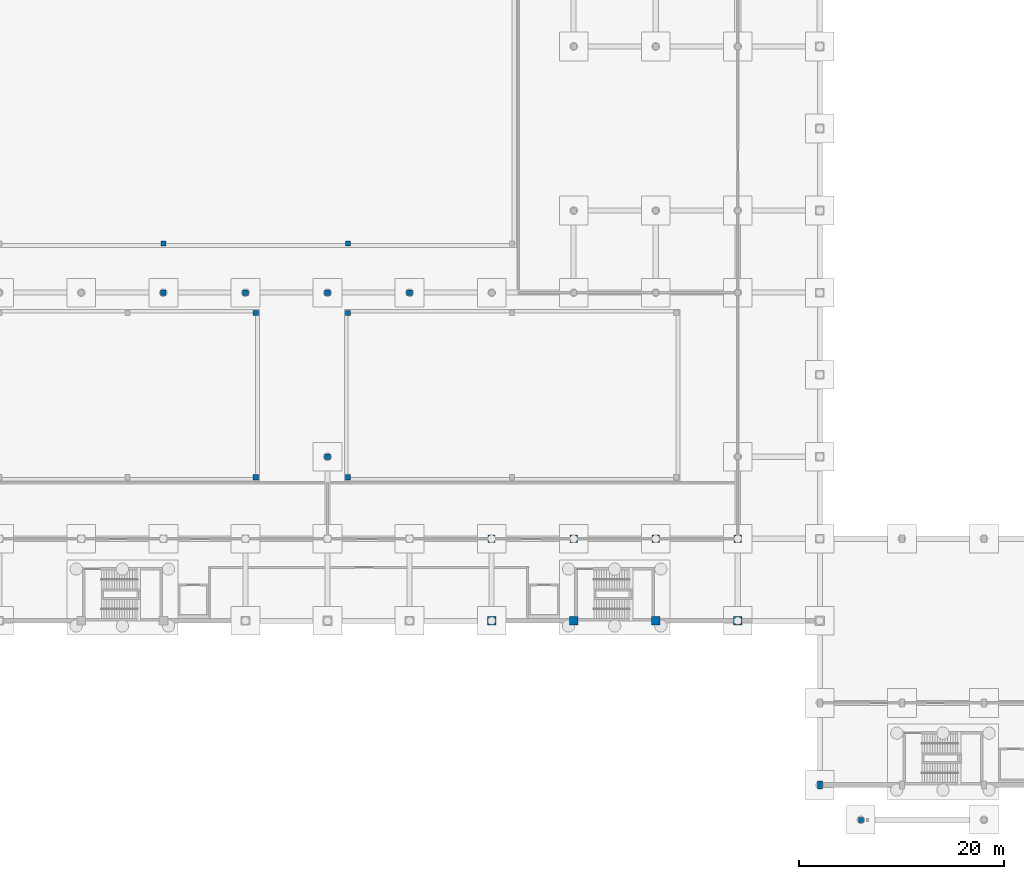
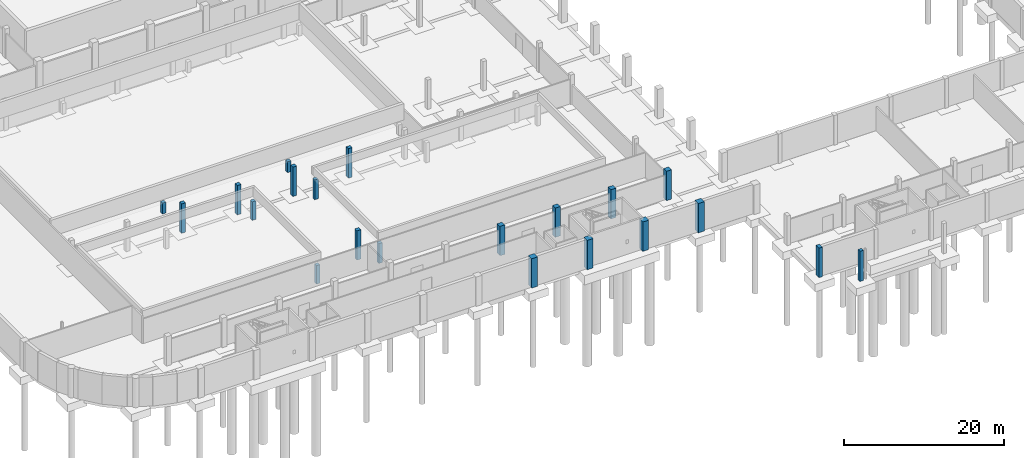
# One storey, part 8 of 29: 21 columns.
"""IFC4 building model written with IfcOpenShell, lengths in metres."""

from ifc_helpers import new_model, si_unit, direction, frame, origin, origin_2d, place, context, subcontext, project, spatial, rectangle, extrude, material, material_profile, profile_set, type_object, element, save


model = new_model("IFC4")

# Units and contexts
model_context = context("Model", 3, precision=1e-05, world=origin(), true_north=direction((0.0, 1.0)))
body_context = subcontext(model_context, "Body", "Model", "MODEL_VIEW")
ifc_project = project(units=[si_unit("LENGTHUNIT", "METRE"), si_unit("AREAUNIT", "SQUARE_METRE"), si_unit("VOLUMEUNIT", "CUBIC_METRE"), si_unit("PLANEANGLEUNIT", "RADIAN"), si_unit("MASSUNIT", "GRAM", prefix="KILO")], contexts=[model_context])

# Site, building, storey
site_placement = place(None, origin())
site = spatial("IfcSite", under=ifc_project, at=site_placement, CompositionType="ELEMENT")
building_placement = place(site_placement, origin())
building = spatial("IfcBuilding", under=site, at=building_placement, Name="Drelvana Railside Aquatics Centre", CompositionType="ELEMENT")
storey_placement = place(building_placement, frame((0.0, 0.0, -4.800048828125)))
storey = spatial("IfcBuildingStorey", under=building, at=storey_placement, Name="B1", CompositionType="ELEMENT", Elevation=-4.800048828125)

# Columns
ifc_material = material(Name="Concrete C40/50", Category="concrete")
ifc_material_profile_1 = material_profile(ifc_material, rectangle(XDim=0.5, YDim=0.5, at=origin_2d()), Name="RC 500x500")
ifc_profile_set_1 = profile_set([ifc_material_profile_1], Name="Concrete C40/50")
column_type_1 = type_object("IfcColumnType", Name="STR-COL-RC-500x500", PredefinedType="COLUMN", material=ifc_profile_set_1)
column_1_placement = place(storey_placement, frame((100.0, -3.39990234375, 0.0), z_axis=(0.0, 0.0, 1.0), x_axis=(1.0, 0.0, 0.0)))
element("IfcColumn", 1, at=column_1_placement, inside=storey, type_object=column_type_1, Name="Column C-02 (B1)", PredefinedType="COLUMN", context=body_context, shape_type="SweptSolid", body=[
    extrude(rectangle(XDim=0.5, YDim=0.5, at=origin_2d()), origin(), (0.0, 0.0, 1.0), 4.590087890625),
])
for number, where, z_axis, x_axis, name in (
    (2, (32.0, 52.800048828125, 0.0), (0.0, 0.0, 1.0), (1.0, 0.0, 0.0), "Competition Pool support pier 3"),
    (3, (50.0, 52.800048828125, 0.0), (0.0, 0.0, 1.0), (1.0, 0.0, 0.0), "Competition Pool support pier 5"),
):
    element("IfcColumn", number, at=place(storey_placement, frame(where, z_axis=z_axis, x_axis=x_axis)), inside=storey, type_object=column_type_1, Name=name, PredefinedType="COLUMN", context=body_context, shape_type="SweptSolid", body=[
        extrude(rectangle(XDim=0.5, YDim=0.5, at=origin_2d()), origin(), (0.0, 0.0, 1.0), 1.650146484375),
    ])
for number, where, z_axis, x_axis, name in (
    (4, (41.0, 30.0, 0.0), (0.0, 0.0, 1.0), (1.0, 0.0, 0.0), "Training Pool support pier 5"),
    (5, (41.0, 46.0, 0.0), (0.0, 0.0, 1.0), (1.0, 0.0, 0.0), "Training Pool support pier 6"),
):
    element("IfcColumn", number, at=place(storey_placement, frame(where, z_axis=z_axis, x_axis=x_axis)), inside=storey, type_object=column_type_1, Name=name, PredefinedType="COLUMN", context=body_context, shape_type="SweptSolid", body=[
        extrude(rectangle(XDim=0.5, YDim=0.5, at=origin_2d()), origin(), (0.0, 0.0, 1.0), 2.820068359375),
    ])
for number, where, z_axis, x_axis, name in (
    (6, (50.0, 30.0, 0.0), (0.0, 0.0, 1.0), (1.0, 0.0, 0.0), "Leisure Pool support pier 1"),
    (7, (50.0, 46.0, 0.0), (0.0, 0.0, 1.0), (1.0, 0.0, 0.0), "Leisure Pool support pier 2"),
):
    element("IfcColumn", number, at=place(storey_placement, frame(where, z_axis=z_axis, x_axis=x_axis)), inside=storey, type_object=column_type_1, Name=name, PredefinedType="COLUMN", context=body_context, shape_type="SweptSolid", body=[
        extrude(rectangle(XDim=0.5, YDim=0.5, at=origin_2d()), origin(), (0.0, 0.0, 1.0), 3.02001953125),
    ])
ifc_material_profile_2 = material_profile(ifc_material, rectangle(XDim=0.5, YDim=0.75, at=origin_2d()), Name="RC 500x750")
ifc_profile_set_2 = profile_set([ifc_material_profile_2], Name="Concrete C40/50")
column_type_2 = type_object("IfcColumnType", Name="STR-COL-RC-500x750", PredefinedType="COLUMN", material=ifc_profile_set_2)
column_2_placement = place(storey_placement, frame((96.0, 0.0, 0.0), z_axis=(0.0, 0.0, 1.0), x_axis=(1.0, 0.0, 0.0)))
element("IfcColumn", 8, at=column_2_placement, inside=storey, type_object=column_type_2, Name="Column C-12 (B1)", PredefinedType="COLUMN", context=body_context, shape_type="SweptSolid", body=[
    extrude(rectangle(XDim=0.5, YDim=0.75, at=origin_2d()), origin(), (0.0, 0.0, 1.0), 4.5),
])
ifc_material_profile_3 = material_profile(ifc_material, rectangle(XDim=0.550048828125, YDim=0.550048828125, at=origin_2d()), Name="RC 550x550")
ifc_profile_set_3 = profile_set([ifc_material_profile_3], Name="Concrete C40/50")
column_type_3 = type_object("IfcColumnType", Name="STR-COL-RC-550x550", PredefinedType="COLUMN", material=ifc_profile_set_3)
for number, where, z_axis, x_axis, name in (
    (9, (32.0, 48.0, 0.0), (0.0, 0.0, 1.0), (1.0, 0.0, 0.0), "Column C-03 (B1)"),
    (10, (40.0, 48.0, 0.0), (0.0, 0.0, 1.0), (1.0, 0.0, 0.0), "Column C-03 (B1)"),
    (11, (48.0, 32.0, 0.0), (0.0, 0.0, 1.0), (1.0, 0.0, 0.0), "Column C-03 (B1)"),
    (12, (48.0, 48.0, 0.0), (0.0, 0.0, 1.0), (1.0, 0.0, 0.0), "Column C-03 (B1)"),
    (13, (56.0, 48.0, 0.0), (0.0, 0.0, 1.0), (1.0, 0.0, 0.0), "Column C-03 (B1)"),
):
    element("IfcColumn", number, at=place(storey_placement, frame(where, z_axis=z_axis, x_axis=x_axis)), inside=storey, type_object=column_type_3, Name=name, PredefinedType="COLUMN", context=body_context, shape_type="SweptSolid", body=[
        extrude(rectangle(XDim=0.550048828125, YDim=0.550048828125, at=origin_2d()), origin(), (0.0, 0.0, 1.0), 4.469970703125),
    ])
ifc_material_profile_4 = material_profile(ifc_material, rectangle(XDim=0.699951171875, YDim=0.699951171875, at=origin_2d()), Name="RC 700x700")
ifc_profile_set_4 = profile_set([ifc_material_profile_4], Name="Concrete C40/50")
column_type_4 = type_object("IfcColumnType", Name="STR-COL-RC-700x700", PredefinedType="COLUMN", material=ifc_profile_set_4)
for number, where, z_axis, x_axis, name in (
    (14, (64.0, 24.0, 0.0), (0.0, 0.0, 1.0), (1.0, 0.0, 0.0), "Column C-06 (B1)"),
    (15, (72.0, 24.0, 0.0), (0.0, 0.0, 1.0), (1.0, 0.0, 0.0), "Column C-06 (B1)"),
    (16, (80.0, 24.0, 0.0), (0.0, 0.0, 1.0), (1.0, 0.0, 0.0), "Column C-06 (B1)"),
    (17, (88.0, 24.0, 0.0), (0.0, 0.0, 1.0), (1.0, 0.0, 0.0), "Column C-06 (B1)"),
):
    element("IfcColumn", number, at=place(storey_placement, frame(where, z_axis=z_axis, x_axis=x_axis)), inside=storey, type_object=column_type_4, Name=name, PredefinedType="COLUMN", context=body_context, shape_type="SweptSolid", body=[
        extrude(rectangle(XDim=0.699951171875, YDim=0.699951171875, at=origin_2d()), origin(), (0.0, 0.0, 1.0), 4.469970703125),
    ])
ifc_material_profile_5 = material_profile(ifc_material, rectangle(XDim=0.85009765625, YDim=0.85009765625, at=origin_2d()), Name="RC 850x850")
ifc_profile_set_5 = profile_set([ifc_material_profile_5], Name="Concrete C40/50")
column_type_5 = type_object("IfcColumnType", Name="STR-COL-RC-850x850", PredefinedType="COLUMN", material=ifc_profile_set_5)
for number, where, z_axis, x_axis, name in (
    (18, (64.0, 16.0, 0.0), (0.0, 0.0, 1.0), (1.0, 0.0, 0.0), "Column C-09 (B1)"),
    (19, (72.0, 16.0, 0.0), (0.0, 0.0, 1.0), (1.0, 0.0, 0.0), "Column C-09 (B1)"),
    (20, (80.0, 16.0, 0.0), (0.0, 0.0, 1.0), (1.0, 0.0, 0.0), "Column C-09 (B1)"),
    (21, (88.0, 16.0, 0.0), (0.0, 0.0, 1.0), (1.0, 0.0, 0.0), "Column C-09 (B1)"),
):
    element("IfcColumn", number, at=place(storey_placement, frame(where, z_axis=z_axis, x_axis=x_axis)), inside=storey, type_object=column_type_5, Name=name, PredefinedType="COLUMN", context=body_context, shape_type="SweptSolid", body=[
        extrude(rectangle(XDim=0.85009765625, YDim=0.85009765625, at=origin_2d()), origin(), (0.0, 0.0, 1.0), 4.469970703125),
    ])

save(model, "model.ifc")
